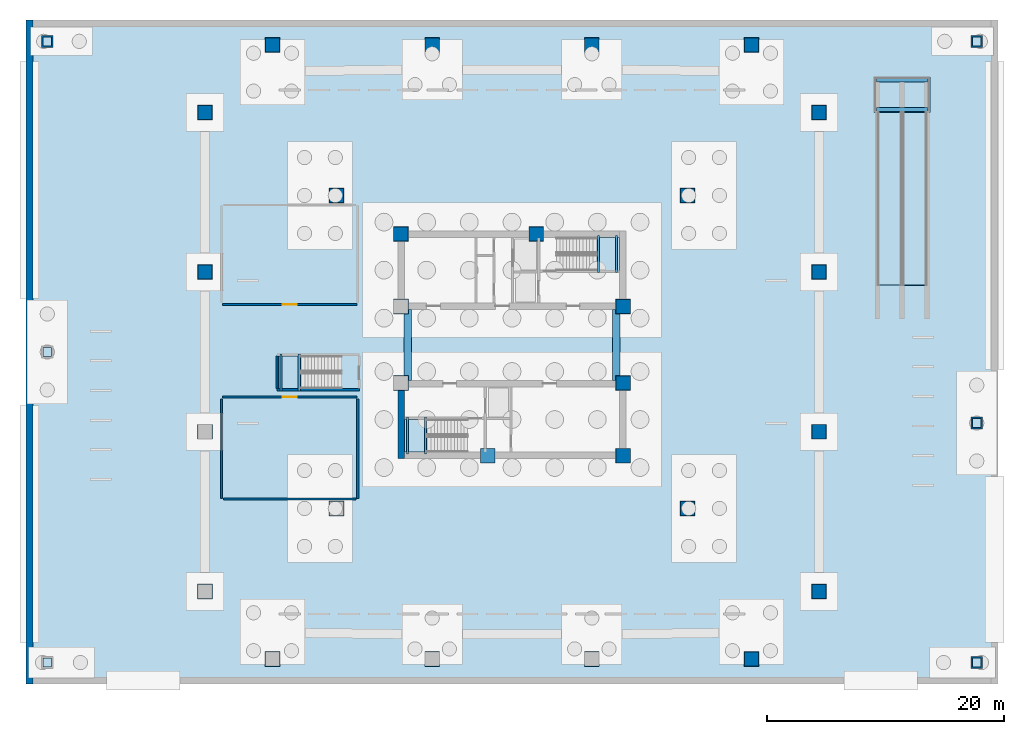
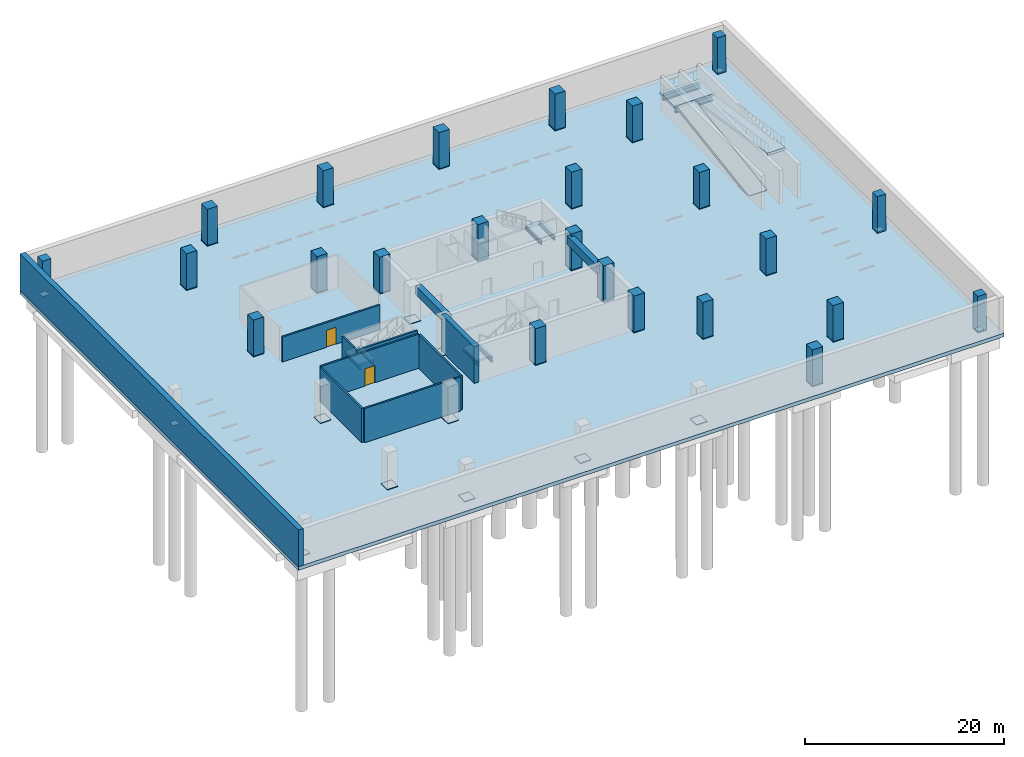
# One storey, part 2 of 8: 34 plates, 24 columns, 10 beams, 9 walls, 7 slabs, 2 doors, 2 openings, 3 elements without a shape of their own.
"""IFC4 building model written with IfcOpenShell, lengths in metres."""

from ifc_helpers import new_model, si_unit, direction, frame, frame_2d, origin, origin_2d, place, context, subcontext, project, spatial, polyline, rectangle, i_section, outline, extrude, material, layer, layer_set, material_profile, profile_set, type_object, element, fill, aggregate, save


model = new_model("IFC4")

# Units and contexts
model_context = context("Model", 3, precision=1e-05, world=origin(), true_north=direction((0.0, 1.0)))
body_context = subcontext(model_context, "Body", "Model", "MODEL_VIEW")
ifc_project = project(units=[si_unit("LENGTHUNIT", "METRE"), si_unit("AREAUNIT", "SQUARE_METRE"), si_unit("VOLUMEUNIT", "CUBIC_METRE"), si_unit("PLANEANGLEUNIT", "RADIAN"), si_unit("MASSUNIT", "GRAM", prefix="KILO")], contexts=[model_context])

# Site, building, storey
site_placement = place(None, origin())
site = spatial("IfcSite", under=ifc_project, at=site_placement, CompositionType="ELEMENT")
building_placement = place(site_placement, origin())
building = spatial("IfcBuilding", under=site, at=building_placement, Name="Qhalaya Broadcast Tower", CompositionType="ELEMENT")
storey_placement = place(building_placement, frame((0.0, 0.0, -9.0)))
storey = spatial("IfcBuildingStorey", under=building, at=storey_placement, Name="B02", CompositionType="ELEMENT", Elevation=-9.0)

# Columns
ifc_material_1 = material(Name="Concrete C60/75", Category="concrete")
ifc_material_profile_1 = material_profile(ifc_material_1, rectangle(XDim=1.0, YDim=1.0, at=origin_2d()), Name="RC-COL 1000x1000")
ifc_profile_set_1 = profile_set([ifc_material_profile_1], Name="Concrete C60/75")
column_type_1 = type_object("IfcColumnType", Name="RC Podium Column C09", PredefinedType="COLUMN", material=ifc_profile_set_1)
for number, where, z_axis, x_axis, name in (
    (1, (39.199951171875, -6.0, 0.0), (0.0, 0.0, 1.0), (1.0, 0.0, 0.0), "B02 Column COL-E2"),
    (2, (39.199951171875, -26.199951171875, 0.0), (0.0, 0.0, 1.0), (1.0, 0.0, 0.0), "B02 Column COL-E4"),
    (3, (-39.199951171875, 26.199951171875, 0.0), (0.0, 0.0, 1.0), (1.0, 0.0, 0.0), "B02 Column COL-E5"),
    (4, (39.199951171875, 26.199951171875, 0.0), (0.0, 0.0, 1.0), (1.0, 0.0, 0.0), "B02 Column COL-E6"),
):
    element("IfcColumn", number, at=place(storey_placement, frame(where, z_axis=z_axis, x_axis=x_axis)), inside=storey, type_object=column_type_1, Name=name, PredefinedType="COLUMN", context=body_context, shape_type="SweptSolid", body=[
        extrude(rectangle(XDim=1.0, YDim=1.0, at=origin_2d()), origin(), (0.0, 0.0, 1.0), 4.5),
    ])
ifc_material_profile_2 = material_profile(ifc_material_1, rectangle(XDim=1.199951171875, YDim=1.199951171875, at=origin_2d()), Name="RC-COL 1200x1200")
ifc_profile_set_2 = profile_set([ifc_material_profile_2], Name="Concrete C60/75")
column_type_2 = type_object("IfcColumnType", Name="RC Substructure Column C08", PredefinedType="COLUMN", material=ifc_profile_set_2)
for number, where, z_axis, x_axis, name in (
    (5, (14.800048828125, -13.199951171875, 0.0), (0.0, 0.0, 1.0), (1.0, 0.0, 0.0), "B02 Column COL-GR2"),
    (6, (-14.800048828125, 13.199951171875, 0.0), (0.0, 0.0, 1.0), (1.0, 0.0, 0.0), "B02 Column COL-GR3"),
    (7, (14.800048828125, 13.199951171875, 0.0), (0.0, 0.0, 1.0), (1.0, 0.0, 0.0), "B02 Column COL-GR4"),
    (8, (20.199951171875, -25.89990234375, 0.0), (0.0, 0.0, 1.0), (1.0, 0.0, 0.0), "B02 Column COL-B1P04"),
    (9, (25.89990234375, -20.199951171875, 0.0), (0.0, 0.0, 1.0), (0.0, 1.0, 0.0), "B02 Column COL-B1P05"),
    (10, (25.89990234375, -6.7333984375, 0.0), (0.0, 0.0, 1.0), (0.0, 1.0, 0.0), "B02 Column COL-B1P06"),
    (11, (25.89990234375, 6.7333984375, 0.0), (0.0, 0.0, 1.0), (0.0, 1.0, 0.0), "B02 Column COL-B1P07"),
    (12, (25.89990234375, 20.199951171875, 0.0), (0.0, 0.0, 1.0), (0.0, 1.0, 0.0), "B02 Column COL-B1P08"),
    (13, (20.199951171875, 25.89990234375, 0.0), (0.0, 0.0, 1.0), (1.0, 0.0, 0.0), "B02 Column COL-B1P09"),
    (14, (6.7333984375, 25.89990234375, 0.0), (0.0, 0.0, 1.0), (1.0, 0.0, 0.0), "B02 Column COL-B1P10"),
    (15, (-6.7333984375, 25.89990234375, 0.0), (0.0, 0.0, 1.0), (1.0, 0.0, 0.0), "B02 Column COL-B1P11"),
    (16, (-20.199951171875, 25.89990234375, 0.0), (0.0, 0.0, 1.0), (1.0, 0.0, 0.0), "B02 Column COL-B1P12"),
    (17, (-25.89990234375, 20.199951171875, 0.0), (0.0, 0.0, 1.0), (0.0, 1.0, 0.0), "B02 Column COL-B1P13"),
    (18, (-25.89990234375, 6.7333984375, 0.0), (0.0, 0.0, 1.0), (0.0, 1.0, 0.0), "B02 Column COL-B1P14"),
    (19, (-9.375, 9.949951171875, 0.0), (0.0, 0.0, 1.0), (1.0, 0.0, 0.0), "B02 Column COL-CC1"),
    (20, (2.050048828125, 9.949951171875, 0.0), (0.0, 0.0, 1.0), (1.0, 0.0, 0.0), "B02 Column COL-CC2"),
    (21, (9.375, 3.824951171875, 0.0), (0.0, 0.0, 1.0), (1.0, 0.0, 0.0), "B02 Column COL-CC4"),
    (22, (9.375, -2.625, 0.0), (0.0, 0.0, 1.0), (1.0, 0.0, 0.0), "B02 Column COL-CC6"),
    (23, (-2.050048828125, -8.75, 0.0), (0.0, 0.0, 1.0), (1.0, 0.0, 0.0), "B02 Column COL-CC7"),
    (24, (9.375, -8.75, 0.0), (0.0, 0.0, 1.0), (1.0, 0.0, 0.0), "B02 Column COL-CC8"),
):
    element("IfcColumn", number, at=place(storey_placement, frame(where, z_axis=z_axis, x_axis=x_axis)), inside=storey, type_object=column_type_2, Name=name, PredefinedType="COLUMN", context=body_context, shape_type="SweptSolid", body=[
        extrude(rectangle(XDim=1.199951171875, YDim=1.199951171875, at=origin_2d()), origin(), (0.0, 0.0, 1.0), 4.5),
    ])

# Beams
ifc_material_2 = material(Name="Structural Steel ASTM A992 Grade 50", Category="steel")
ifc_material_profile_3 = material_profile(ifc_material_2, i_section(OverallWidth=0.323974609375, OverallDepth=0.612060546875, WebThickness=0.0126953125, FlangeThickness=0.01904296875, at=origin_2d()), Name="W24X104")
ifc_profile_set_3 = profile_set([ifc_material_profile_3], Name="Structural Steel ASTM A992 Grade 50")
beam_type_1 = type_object("IfcBeamType", Name="Core Frame Tie Beam B04", PredefinedType="BEAM", material=ifc_profile_set_3)
for number, where, z_axis, x_axis, name in (
    (25, (30.75, 20.449951171875, 1.64404296875), (1.0, 0.0, 0.0), (0.0, 1.0, 0.0), "B02 Vehicle Ramp Landing Bearer Beam 1-1"),
    (26, (30.75, 22.949951171875, 1.64404296875), (1.0, 0.0, 0.0), (0.0, 1.0, 0.0), "B02 Vehicle Ramp Landing Bearer Beam 1-2"),
):
    element("IfcBeam", number, at=place(storey_placement, frame(where, z_axis=z_axis, x_axis=x_axis)), inside=storey, type_object=beam_type_1, Name=name, PredefinedType="BEAM", context=body_context, shape_type="SweptSolid", body=[
        extrude(i_section(OverallWidth=0.323974609375, OverallDepth=0.612060546875, WebThickness=0.0126953125, FlangeThickness=0.01904296875, at=origin_2d()), origin(), (0.0, 0.0, 1.0), 4.300048828125),
    ])
ifc_material_profile_4 = material_profile(ifc_material_1, rectangle(XDim=0.64990234375, YDim=1.050048828125, at=origin_2d()), Name="RC-CB 650x1050")
ifc_profile_set_4 = profile_set([ifc_material_profile_4], Name="Concrete C60/75")
beam_type_2 = type_object("IfcBeamType", Name="Split-Core RC Coupling Lintel CB1", PredefinedType="LINTEL", material=ifc_profile_set_4)
for number, where, z_axis, x_axis, name in (
    (27, (-8.800048828125, -2.39990234375, 3.655029296875), (0.0, 1.0, 0.0), (-1.0, 0.0, 0.0), "B02 Core Coupling Lintel Beam W"),
    (28, (8.800048828125, -2.39990234375, 3.655029296875), (0.0, 1.0, 0.0), (-1.0, 0.0, 0.0), "B02 Core Coupling Lintel Beam E"),
):
    element("IfcBeam", number, at=place(storey_placement, frame(where, z_axis=z_axis, x_axis=x_axis)), inside=storey, type_object=beam_type_2, Name=name, PredefinedType="LINTEL", context=body_context, shape_type="SweptSolid", body=[
        extrude(rectangle(XDim=0.64990234375, YDim=1.050048828125, at=origin_2d()), origin(), (0.0, 0.0, 1.0), 6.0),
    ])
ifc_material_profile_5 = material_profile(ifc_material_2, i_section(OverallWidth=0.177978515625, OverallDepth=0.406005859375, WebThickness=0.0078125, FlangeThickness=0.0126953125, at=origin_2d()), Name="W16X40")
ifc_profile_set_5 = profile_set([ifc_material_profile_5], Name="Structural Steel ASTM A992 Grade 50")
beam_type_3 = type_object("IfcBeamType", Name="Upper Perimeter Spandrel Beam SP2", PredefinedType="SPANDREL", material=ifc_profile_set_5)
for number, where, z_axis, x_axis, name in (
    (29, (7.294921875, 6.699951171875, 1.846923828125), (0.0, 1.0, 0.0), (-1.0, 0.0, 0.0), "B02 ST-1 Half-Landing Bearer Beam 1"),
    (30, (8.830078125, 6.699951171875, 1.846923828125), (0.0, 1.0, 0.0), (-1.0, 0.0, 0.0), "B02 ST-1 Half-Landing Bearer Beam 2"),
    (31, (-8.830078125, -8.6201171875, 1.846923828125), (0.0, 1.0, 0.0), (-1.0, 0.0, 0.0), "B02 ST-2 Half-Landing Bearer Beam 1"),
    (32, (-7.294921875, -8.6201171875, 1.846923828125), (0.0, 1.0, 0.0), (-1.0, 0.0, 0.0), "B02 ST-2 Half-Landing Bearer Beam 2"),
    (33, (-19.47998046875, -3.280029296875, 1.846923828125), (0.0, 1.0, 0.0), (-1.0, 0.0, 0.0), "B02 ST-P1 Half-Landing Bearer Beam 1"),
    (34, (-17.945068359375, -3.280029296875, 1.846923828125), (0.0, 1.0, 0.0), (-1.0, 0.0, 0.0), "B02 ST-P1 Half-Landing Bearer Beam 2"),
):
    element("IfcBeam", number, at=place(storey_placement, frame(where, z_axis=z_axis, x_axis=x_axis)), inside=storey, type_object=beam_type_3, Name=name, PredefinedType="SPANDREL", context=body_context, shape_type="SweptSolid", body=[
        extrude(i_section(OverallWidth=0.177978515625, OverallDepth=0.406005859375, WebThickness=0.0078125, FlangeThickness=0.0126953125, at=origin_2d()), origin(), (0.0, 0.0, 1.0), 3.1201171875),
    ])

# Plates
ifc_material_3 = material(Name="Structural Steel ASTM A572 Grade 50", Category="steel")
ifc_layer_1 = layer(ifc_material_3, 0.75, Name="Structural Steel ASTM A572 Grade 50")
ifc_layer_set_1 = layer_set([ifc_layer_1], Name="Structural Steel ASTM A572 Grade 50")
plate_type_1 = type_object("IfcPlateType", Name="Gravity Column Base Plate BP-02", PredefinedType="USERDEFINED", material=ifc_layer_set_1)
for number, where, z_axis, x_axis, name in (
    (35, (-39.199951171875, 0.0, 0.0), (0.0, 0.0, 1.0), (1.0, 0.0, 0.0), "Column Base Plate COL-E1"),
    (36, (39.199951171875, -6.0, 0.0), (0.0, 0.0, 1.0), (1.0, 0.0, 0.0), "Column Base Plate COL-E2"),
    (37, (-39.199951171875, -26.199951171875, 0.0), (0.0, 0.0, 1.0), (1.0, 0.0, 0.0), "Column Base Plate COL-E3"),
    (38, (39.199951171875, -26.199951171875, 0.0), (0.0, 0.0, 1.0), (1.0, 0.0, 0.0), "Column Base Plate COL-E4"),
    (39, (-39.199951171875, 26.199951171875, 0.0), (0.0, 0.0, 1.0), (1.0, 0.0, 0.0), "Column Base Plate COL-E5"),
    (40, (39.199951171875, 26.199951171875, 0.0), (0.0, 0.0, 1.0), (1.0, 0.0, 0.0), "Column Base Plate COL-E6"),
):
    element("IfcPlate", number, at=place(storey_placement, frame(where, z_axis=z_axis, x_axis=x_axis)), inside=storey, type_object=plate_type_1, Name=name, ObjectType="BASE_PLATE", PredefinedType="USERDEFINED", context=body_context, shape_type="SweptSolid", body=[
        extrude(rectangle(XDim=0.75, YDim=0.75, at=origin_2d()), origin(), (0.0, 0.0, 1.0), 0.044921875),
    ])
ifc_layer_2 = layer(ifc_material_3, 1.25, Name="Structural Steel ASTM A572 Grade 50")
ifc_layer_set_2 = layer_set([ifc_layer_2], Name="Structural Steel ASTM A572 Grade 50")
plate_type_2 = type_object("IfcPlateType", Name="Mega-Column Heavy Base Plate BP-01", PredefinedType="USERDEFINED", material=ifc_layer_set_2)
for number, where, z_axis, x_axis, name in (
    (41, (-14.800048828125, -13.199951171875, 0.0), (0.0, 0.0, 1.0), (1.0, 0.0, 0.0), "Column Base Plate COL-GR1"),
    (42, (14.800048828125, -13.199951171875, 0.0), (0.0, 0.0, 1.0), (1.0, 0.0, 0.0), "Column Base Plate COL-GR2"),
    (43, (-14.800048828125, 13.199951171875, 0.0), (0.0, 0.0, 1.0), (1.0, 0.0, 0.0), "Column Base Plate COL-GR3"),
    (44, (14.800048828125, 13.199951171875, 0.0), (0.0, 0.0, 1.0), (1.0, 0.0, 0.0), "Column Base Plate COL-GR4"),
    (45, (-20.199951171875, -25.89990234375, 0.0), (0.0, 0.0, 1.0), (1.0, 0.0, 0.0), "Column Base Plate COL-B1P01"),
    (46, (-6.7333984375, -25.89990234375, 0.0), (0.0, 0.0, 1.0), (1.0, 0.0, 0.0), "Column Base Plate COL-B1P02"),
    (47, (6.7333984375, -25.89990234375, 0.0), (0.0, 0.0, 1.0), (1.0, 0.0, 0.0), "Column Base Plate COL-B1P03"),
    (48, (20.199951171875, -25.89990234375, 0.0), (0.0, 0.0, 1.0), (1.0, 0.0, 0.0), "Column Base Plate COL-B1P04"),
    (49, (25.89990234375, -20.199951171875, 0.0), (0.0, 0.0, 1.0), (0.0, 1.0, 0.0), "Column Base Plate COL-B1P05"),
    (50, (25.89990234375, -6.7333984375, 0.0), (0.0, 0.0, 1.0), (0.0, 1.0, 0.0), "Column Base Plate COL-B1P06"),
    (51, (25.89990234375, 6.7333984375, 0.0), (0.0, 0.0, 1.0), (0.0, 1.0, 0.0), "Column Base Plate COL-B1P07"),
    (52, (25.89990234375, 20.199951171875, 0.0), (0.0, 0.0, 1.0), (0.0, 1.0, 0.0), "Column Base Plate COL-B1P08"),
    (53, (20.199951171875, 25.89990234375, 0.0), (0.0, 0.0, 1.0), (1.0, 0.0, 0.0), "Column Base Plate COL-B1P09"),
    (54, (6.7333984375, 25.89990234375, 0.0), (0.0, 0.0, 1.0), (1.0, 0.0, 0.0), "Column Base Plate COL-B1P10"),
    (55, (-6.7333984375, 25.89990234375, 0.0), (0.0, 0.0, 1.0), (1.0, 0.0, 0.0), "Column Base Plate COL-B1P11"),
    (56, (-20.199951171875, 25.89990234375, 0.0), (0.0, 0.0, 1.0), (1.0, 0.0, 0.0), "Column Base Plate COL-B1P12"),
    (57, (-25.89990234375, 20.199951171875, 0.0), (0.0, 0.0, 1.0), (0.0, 1.0, 0.0), "Column Base Plate COL-B1P13"),
    (58, (-25.89990234375, 6.7333984375, 0.0), (0.0, 0.0, 1.0), (0.0, 1.0, 0.0), "Column Base Plate COL-B1P14"),
    (59, (-25.89990234375, -6.7333984375, 0.0), (0.0, 0.0, 1.0), (0.0, 1.0, 0.0), "Column Base Plate COL-B1P15"),
    (60, (-25.89990234375, -20.199951171875, 0.0), (0.0, 0.0, 1.0), (0.0, 1.0, 0.0), "Column Base Plate COL-B1P16"),
    (61, (-9.375, 9.949951171875, 0.0), (0.0, 0.0, 1.0), (1.0, 0.0, 0.0), "Column Base Plate COL-CC1"),
    (62, (2.050048828125, 9.949951171875, 0.0), (0.0, 0.0, 1.0), (1.0, 0.0, 0.0), "Column Base Plate COL-CC2"),
    (63, (-9.375, 3.824951171875, 0.0), (0.0, 0.0, 1.0), (1.0, 0.0, 0.0), "Column Base Plate COL-CC3"),
    (64, (9.375, 3.824951171875, 0.0), (0.0, 0.0, 1.0), (1.0, 0.0, 0.0), "Column Base Plate COL-CC4"),
    (65, (-9.375, -2.625, 0.0), (0.0, 0.0, 1.0), (1.0, 0.0, 0.0), "Column Base Plate COL-CC5"),
    (66, (9.375, -2.625, 0.0), (0.0, 0.0, 1.0), (1.0, 0.0, 0.0), "Column Base Plate COL-CC6"),
    (67, (-2.050048828125, -8.75, 0.0), (0.0, 0.0, 1.0), (1.0, 0.0, 0.0), "Column Base Plate COL-CC7"),
    (68, (9.375, -8.75, 0.0), (0.0, 0.0, 1.0), (1.0, 0.0, 0.0), "Column Base Plate COL-CC8"),
):
    element("IfcPlate", number, at=place(storey_placement, frame(where, z_axis=z_axis, x_axis=x_axis)), inside=storey, type_object=plate_type_2, Name=name, ObjectType="BASE_PLATE", PredefinedType="USERDEFINED", context=body_context, shape_type="SweptSolid", body=[
        extrude(rectangle(XDim=1.25, YDim=1.25, at=origin_2d()), origin(), (0.0, 0.0, 1.0), 0.06494140625),
    ])

# Stair, slab
ifc_material_4 = material(Name="Concrete C40/50", Category="concrete")
stair_type = type_object("IfcStairType", Name="Protected Dogleg Core Stair 4500", PredefinedType="TWO_STRAIGHT_RUN_STAIR", material=ifc_material_4)
stair_1_placement = place(storey_placement, origin())
stair_1 = element("IfcStair", 69, at=stair_1_placement, inside=storey, type_object=stair_type, Name="B02 North Core Exit Stair ST-1", PredefinedType="TWO_STRAIGHT_RUN_STAIR")
ifc_layer_3 = layer(ifc_material_4, 0.199951171875, Name="Concrete C40/50")
ifc_layer_set_3 = layer_set([ifc_layer_3], Name="Concrete C40/50")
slab_type_1 = type_object("IfcSlabType", Name="Stair & Ramp Half-Landing Slab 200", PredefinedType="LANDING", material=ifc_layer_set_3)
slab_1_placement = place(storey_placement, frame((0.0, 0.0, 2.050048828125)))
slab_1 = element("IfcSlab", 70, at=slab_1_placement, type_object=slab_type_1, Name="ST-1 landing 1", PredefinedType="LANDING", context=body_context, shape_type="SweptSolid", body=[
    extrude(outline(polyline([(7.074951171875, 6.8798828125), (9.050048828125, 6.8798828125), (9.050048828125, 9.639892578125), (7.074951171875, 9.639892578125), (7.074951171875, 6.8798828125)])), origin(), (0.0, 0.0, 1.0), 0.199951171875),
])
aggregate(stair_1, [slab_1])

stair_2_placement = place(storey_placement, origin())
stair_2 = element("IfcStair", 71, at=stair_2_placement, inside=storey, type_object=stair_type, Name="B02 South Core Exit Stair ST-2", PredefinedType="TWO_STRAIGHT_RUN_STAIR")
slab_2_placement = place(storey_placement, frame((0.0, 0.0, 2.050048828125)))
slab_2 = element("IfcSlab", 72, at=slab_2_placement, type_object=slab_type_1, Name="ST-2 landing 1", PredefinedType="LANDING", context=body_context, shape_type="SweptSolid", body=[
    extrude(outline(polyline([(-7.074951171875, -5.679931640625), (-9.050048828125, -5.679931640625), (-9.050048828125, -8.43994140625), (-7.074951171875, -8.43994140625), (-7.074951171875, -5.679931640625)])), origin(), (0.0, 0.0, 1.0), 0.199951171875),
])
aggregate(stair_2, [slab_2])

stair_3_placement = place(storey_placement, origin())
stair_3 = element("IfcStair", 73, at=stair_3_placement, inside=storey, type_object=stair_type, Name="B02 Podium West Escape Stair ST-P1", PredefinedType="TWO_STRAIGHT_RUN_STAIR")
slab_3_placement = place(storey_placement, frame((0.0, 0.0, 2.050048828125)))
slab_3 = element("IfcSlab", 74, at=slab_3_placement, type_object=slab_type_1, Name="ST-P1 landing 1", PredefinedType="LANDING", context=body_context, shape_type="SweptSolid", body=[
    extrude(outline(polyline([(-17.72509765625, -0.340087890625), (-19.699951171875, -0.340087890625), (-19.699951171875, -3.10009765625), (-17.72509765625, -3.10009765625), (-17.72509765625, -0.340087890625)])), origin(), (0.0, 0.0, 1.0), 0.199951171875),
])
aggregate(stair_3, [slab_3])

# Slabs
ifc_material_5 = material(Name="Concrete C50/60", Category="concrete")
ifc_layer_4 = layer(ifc_material_5, 0.449951171875, Name="Concrete C50/60")
ifc_layer_set_4 = layer_set([ifc_layer_4], Name="Concrete C50/60")
slab_type_2 = type_object("IfcSlabType", Name="Substructure Basement Mat Slab 450", PredefinedType="BASESLAB", material=ifc_layer_set_4)
slab_4_placement = place(storey_placement, frame((0.0, 0.0, -0.449951171875)))
element("IfcSlab", 75, at=slab_4_placement, inside=storey, type_object=slab_type_2, Name="B02 Main Structural Floor Slab", PredefinedType="BASESLAB", context=body_context, shape_type="SweptSolid", body=[
    extrude(outline(polyline([(-41.0, -28.0), (41.0, -28.0), (41.0, 28.0), (-41.0, 28.0), (-41.0, -28.0)]), holes=[polyline([(30.760009765625, 7.719970703125), (32.93994140625, 7.719970703125), (32.93994140625, 5.6298828125), (30.760009765625, 5.6298828125), (30.760009765625, 7.719970703125)])]), origin(), (0.0, 0.0, 1.0), 0.449951171875),
])
ifc_layer_5 = layer(ifc_material_4, 0.300048828125, Name="Concrete C40/50")
ifc_layer_set_5 = layer_set([ifc_layer_5], Name="Concrete C40/50")
slab_type_3 = type_object("IfcSlabType", Name="Vehicle Ramp Approach Transition Slab 300", PredefinedType="USERDEFINED", material=ifc_layer_set_5)
slab_5_placement = place(storey_placement, frame((0.0, 0.0, 1.949951171875)))
element("IfcSlab", 76, at=slab_5_placement, inside=storey, type_object=slab_type_3, Name="B02 Car Park Ramp Mid Landing Slab", ObjectType="APPROACH_SLAB", PredefinedType="USERDEFINED", context=body_context, shape_type="SweptSolid", body=[
    extrude(outline(polyline([(30.550048828125, 20.199951171875), (35.25, 20.199951171875), (35.25, 23.199951171875), (30.550048828125, 23.199951171875), (30.550048828125, 20.199951171875)])), origin(), (0.0, 0.0, 1.0), 0.300048828125),
])
slab_6_placement = place(storey_placement, frame((30.780029296875, 5.64990234375, 0.0), z_axis=(0.0, -0.152822223664, 0.98825369615), x_axis=(1.0, 0.0, 0.0)))
element("IfcSlab", 77, at=slab_6_placement, inside=storey, type_object=slab_type_3, Name="B02 Vehicle Ramp Structural Slab West Run Concrete C45/55", ObjectType="APPROACH_SLAB", PredefinedType="USERDEFINED", context=body_context, shape_type="SweptSolid", body=[
    extrude(outline(polyline([(0.0, 0.0), (2.139892578125, 0.0), (2.139892578125, 14.722989536803377), (0.0, 14.722989536803377), (0.0, 0.0)])), origin(), (0.0, 0.0, -1.0), 0.300048828125),
])
slab_7_placement = place(storey_placement, frame((35.02001953125, 20.199951171875, 2.25), z_axis=(0.0, 0.152822223664, 0.98825369615), x_axis=(-1.0, 0.0, 0.0)))
element("IfcSlab", 78, at=slab_7_placement, inside=storey, type_object=slab_type_3, Name="B02 Vehicle Ramp Structural Slab East Run Concrete C45/55", ObjectType="APPROACH_SLAB", PredefinedType="USERDEFINED", context=body_context, shape_type="SweptSolid", body=[
    extrude(outline(polyline([(0.0, 0.0), (2.070068359375, 0.0), (2.070068359375, 14.722989536803379), (0.0, 14.722989536803379), (0.0, 0.0)])), origin(), (0.0, 0.0, -1.0), 0.300048828125),
])

# Wall
ifc_material_6 = material(Name="Concrete C45/55", Category="concrete")
ifc_layer_6 = layer(ifc_material_6, 0.60009765625, Name="Concrete C45/55")
ifc_layer_set_6 = layer_set([ifc_layer_6], Name="Concrete C45/55")
wall_type_1 = type_object("IfcWallType", Name="Basement Perimeter Retaining Wall 600", PredefinedType="USERDEFINED", material=ifc_layer_set_6)
wall_1_placement = place(storey_placement, frame((-40.699951171875, -28.0, 0.0), z_axis=(0.0, 0.0, 1.0), x_axis=(0.0, 1.0, 0.0)))
element("IfcWall", 79, at=wall_1_placement, inside=storey, type_object=wall_type_1, Name="B02 Basement Retaining Wall RW-W", ObjectType="RETAININGWALL", PredefinedType="USERDEFINED", context=body_context, shape_type="SweptSolid", body=[
    extrude(rectangle(XDim=56.0, YDim=0.60009765625, at=frame_2d((28.0, 0.0))), origin(), (0.0, 0.0, 1.0), 4.5),
])

# Wall, opening, door
ifc_material_7 = material(Name="Gypsum Acoustic Partition")
ifc_layer_7 = layer(ifc_material_7, 0.199951171875, Name="Gypsum Acoustic Partition")
ifc_layer_set_7 = layer_set([ifc_layer_7], Name="Gypsum Acoustic Partition")
wall_type_2 = type_object("IfcWallType", Name="Firefighting Lobby & Stair Enclosure Wall 200", PredefinedType="PARTITIONING", material=ifc_layer_set_7)
wall_2_placement = place(storey_placement, frame((-24.43994140625, -3.800048828125, 0.0), z_axis=(0.0, 0.0, 1.0), x_axis=(1.0, 0.0, 0.0)))
wall_2 = element("IfcWall", 80, at=wall_2_placement, inside=storey, type_object=wall_type_2, Name="B02 Partition Wall W-B02P1", PredefinedType="PARTITIONING", context=body_context, shape_type="SweptSolid", body=[
    extrude(rectangle(XDim=11.3798828125, YDim=0.199951171875, at=frame_2d((5.68994140625, 0.0))), origin(), (0.0, 0.0, 1.0), 4.179931640625),
])
opening_1_placement = place(wall_2_placement, frame((5.114990234375, 0.0, 0.0)))
opening_1 = element("IfcOpeningElement", 81, at=opening_1_placement, cuts=wall_2, Name="Opening D05", PredefinedType="OPENING", context=body_context, shape_type="SweptSolid", body=[
    extrude(rectangle(XDim=1.14990234375, YDim=2.10009765625, at=frame_2d((0.574951171875, 1.050048828125))), frame((0.0, 0.112060546875, 0.0), z_axis=(0.0, -1.0, 0.0), x_axis=(1.0, 0.0, 0.0)), (0.0, 0.0, 1.0), 0.223876953125),
])
ifc_material_8 = material(Name="Fire-Rated Steel Door", Category="steel")
door_type = type_object("IfcDoorType", Name="Refuge & Plant Room Fire Door D05", OperationType="NOTDEFINED", PredefinedType="DOOR", material=ifc_material_8)
door_1_placement = place(opening_1_placement, origin())
door_1 = element("IfcDoor", 82, at=door_1_placement, inside=storey, type_object=door_type, Name="B02 Door D-B02P1", OperationType="SINGLE_SWING_LEFT", OverallHeight=2.10009765625, OverallWidth=1.14990234375, PredefinedType="DOOR", context=body_context, shape_type="SweptSolid", body=[
    extrude(rectangle(XDim=1.14990234375, YDim=2.10009765625, at=frame_2d((0.574951171875, 1.050048828125))), frame((0.0, 0.02490234375, 0.0), z_axis=(0.0, -1.0, 0.0), x_axis=(1.0, 0.0, 0.0)), (0.0, 0.0, 1.0), 0.050048828125),
])
fill(opening_1, door_1)

# Walls
for number, where, z_axis, x_axis, name in (
    (83, (-24.5, -12.340087890625, 0.0), (0.0, 0.0, 1.0), (0.0, 1.0, 0.0), "B02 Partition Wall W-B02P2"),
    (84, (-13.0, -12.340087890625, 0.0), (0.0, 0.0, 1.0), (0.0, 1.0, 0.0), "B02 Partition Wall W-B02P3"),
):
    element("IfcWall", number, at=place(storey_placement, frame(where, z_axis=z_axis, x_axis=x_axis)), inside=storey, type_object=wall_type_2, Name=name, PredefinedType="PARTITIONING", context=body_context, shape_type="SweptSolid", body=[
        extrude(rectangle(XDim=8.380126953125, YDim=0.199951171875, at=frame_2d((4.18994140625, 0.0))), origin(), (0.0, 0.0, 1.0), 4.179931640625),
    ])
wall_3_placement = place(storey_placement, frame((-24.340087890625, -12.39990234375, 0.0), z_axis=(0.0, 0.0, 1.0), x_axis=(1.0, 0.0, 0.0)))
element("IfcWall", 85, at=wall_3_placement, inside=storey, type_object=wall_type_2, Name="B02 Partition Wall W-B02P4", PredefinedType="PARTITIONING", context=body_context, shape_type="SweptSolid", body=[
    extrude(rectangle(XDim=11.18017578125, YDim=0.199951171875, at=frame_2d((5.590087890625, 0.0))), origin(), (0.0, 0.0, 1.0), 4.179931640625),
])

# Wall, opening, door
wall_4_placement = place(storey_placement, frame((-24.43994140625, 4.0, 0.0), z_axis=(0.0, 0.0, 1.0), x_axis=(1.0, 0.0, 0.0)))
wall_4 = element("IfcWall", 86, at=wall_4_placement, inside=storey, type_object=wall_type_2, Name="B02 Partition Wall W-B02P5", PredefinedType="PARTITIONING", context=body_context, shape_type="SweptSolid", body=[
    extrude(rectangle(XDim=11.3798828125, YDim=0.199951171875, at=frame_2d((5.68994140625, 0.0))), origin(), (0.0, 0.0, 1.0), 3.0419921875),
])
opening_2_placement = place(wall_4_placement, frame((5.114990234375, 0.0, 0.0)))
opening_2 = element("IfcOpeningElement", 87, at=opening_2_placement, cuts=wall_4, Name="Opening D05", PredefinedType="OPENING", context=body_context, shape_type="SweptSolid", body=[
    extrude(rectangle(XDim=1.14990234375, YDim=2.10009765625, at=frame_2d((0.574951171875, 1.050048828125))), frame((0.0, 0.112060546875, 0.0), z_axis=(0.0, -1.0, 0.0), x_axis=(1.0, 0.0, 0.0)), (0.0, 0.0, 1.0), 0.223876953125),
])
door_2_placement = place(opening_2_placement, origin())
door_2 = element("IfcDoor", 88, at=door_2_placement, inside=storey, type_object=door_type, Name="B02 Door D-B02P2", OperationType="SINGLE_SWING_RIGHT", OverallHeight=2.10009765625, OverallWidth=1.14990234375, PredefinedType="DOOR", context=body_context, shape_type="SweptSolid", body=[
    extrude(rectangle(XDim=1.14990234375, YDim=2.10009765625, at=frame_2d((0.574951171875, 1.050048828125))), frame((0.0, 0.02490234375, 0.0), z_axis=(0.0, -1.0, 0.0), x_axis=(1.0, 0.0, 0.0)), (0.0, 0.0, 1.0), 0.050048828125),
])
fill(opening_2, door_2)

# Walls
ifc_layer_8 = layer(ifc_material_5, 0.199951171875, Name="Concrete C50/60")
ifc_layer_set_8 = layer_set([ifc_layer_8], Name="Concrete C50/60")
wall_type_3 = type_object("IfcWallType", Name="Load-Bearing Stair Shaft Wall 200", PredefinedType="SHEAR", material=ifc_layer_set_8)
wall_5_placement = place(storey_placement, frame((-19.830078125, -3.179931640625, 0.0), z_axis=(0.0, 0.0, 1.0), x_axis=(1.0, 0.0, 0.0)))
element("IfcWall", 89, at=wall_5_placement, inside=storey, type_object=wall_type_3, Name="B02 Stair Core Shear Wall W-STP1S", PredefinedType="SHEAR", context=body_context, shape_type="SweptSolid", body=[
    extrude(rectangle(XDim=6.9599609375, YDim=0.199951171875, at=frame_2d((3.47998046875, 0.0))), origin(), (0.0, 0.0, 1.0), 4.179931640625),
])
wall_6_placement = place(storey_placement, frame((-19.820068359375, -3.080078125, 0.0), z_axis=(0.0, 0.0, 1.0), x_axis=(0.0, 1.0, 0.0)))
element("IfcWall", 90, at=wall_6_placement, inside=storey, type_object=wall_type_3, Name="B02 Stair Core Shear Wall W-STP1W", PredefinedType="SHEAR", context=body_context, shape_type="SweptSolid", body=[
    extrude(rectangle(XDim=2.739990234375, YDim=0.199951171875, at=frame_2d((1.3701171875, 0.0))), origin(), (0.0, 0.0, 1.0), 4.179931640625),
])
ifc_layer_9 = layer(ifc_material_1, 0.550048828125, Name="Concrete C60/75")
ifc_layer_set_9 = layer_set([ifc_layer_9], Name="Concrete C60/75")
wall_type_4 = type_object("IfcWallType", Name="Lower Split-Core Shear Wall 550", PredefinedType="SHEAR", material=ifc_layer_set_9)
wall_7_placement = place(storey_placement, frame((-9.324951171875, -9.0, 0.0), z_axis=(0.0, 0.0, 1.0), x_axis=(0.0, 1.0, 0.0)))
element("IfcWall", 91, at=wall_7_placement, inside=storey, type_object=wall_type_4, Name="B02 Split-Core Shear Wall CW-SW", PredefinedType="SHEAR", context=body_context, shape_type="SweptSolid", body=[
    extrude(rectangle(XDim=6.60009765625, YDim=0.550048828125, at=frame_2d((3.300048828125, 0.0))), origin(), (0.0, 0.0, 1.0), 4.5),
])

save(model, "model.ifc")
